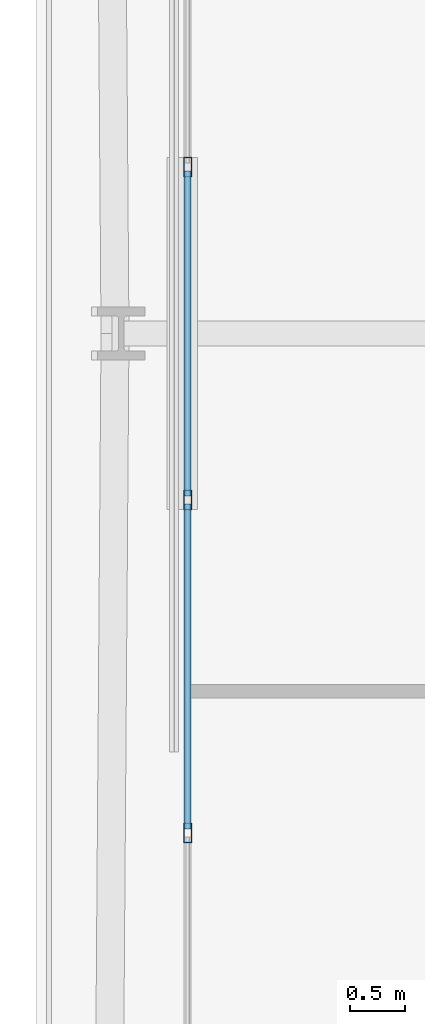
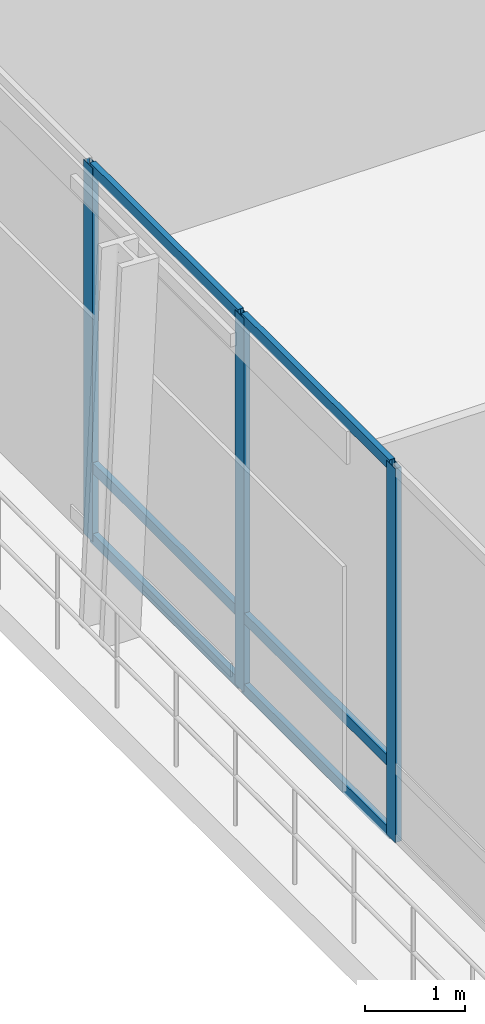
# One storey, part 12 of 48: 9 members, 1 element without a shape of its own.
"""IFC4 building model written with IfcOpenShell, lengths in metres."""

from ifc_helpers import new_model, si_unit, direction, frame, origin, origin_2d, place, context, subcontext, project, spatial, hollow_rectangle, extrude, material, layer, layer_set, material_profile, profile_set, type_object, element, aggregate, save


model = new_model("IFC4")

# Units and contexts
model_context = context("Model", 3, precision=1e-05, world=origin(), true_north=direction((0.0, 1.0)))
body_context = subcontext(model_context, "Body", "Model", "MODEL_VIEW")
ifc_project = project(units=[si_unit("LENGTHUNIT", "METRE"), si_unit("AREAUNIT", "SQUARE_METRE"), si_unit("VOLUMEUNIT", "CUBIC_METRE"), si_unit("PLANEANGLEUNIT", "RADIAN"), si_unit("MASSUNIT", "GRAM", prefix="KILO")], contexts=[model_context])

# Site, building, storey
site_placement = place(None, origin())
site = spatial("IfcSite", under=ifc_project, at=site_placement, CompositionType="ELEMENT")
building_placement = place(site_placement, origin())
building = spatial("IfcBuilding", under=site, at=building_placement, Name="Caelvoria Tower", CompositionType="ELEMENT")
storey_placement = place(building_placement, frame((0.0, 0.0, 90.39990234375)))
storey = spatial("IfcBuildingStorey", under=building, at=storey_placement, Name="L23", CompositionType="ELEMENT", Elevation=90.39990234375)

# Curtain wall, members
ifc_material_1 = material(Name="Anodised Bronze Aluminium and Low-E Glass", Category="aluminium")
ifc_layer = layer(ifc_material_1, 0.2099609375, Name="Anodised Bronze Aluminium and Low-E Glass")
ifc_layer_set = layer_set([ifc_layer], Name="CW System 3 Sky Lobby Double-Height Acoustic Facade - Anodised Bronze Aluminium and Low-E Glass")
curtain_wall_type = type_object("IfcCurtainWallType", Name="CW System 3 Sky Lobby Double-Height Acoustic Facade", PredefinedType="NOTDEFINED", material=ifc_layer_set)
curtain_wall_placement = place(storey_placement, origin())
curtain_wall = element("IfcCurtainWall", 1, at=curtain_wall_placement, inside=storey, type_object=curtain_wall_type, Name="CW-03 Curtain Wall L23-E6", PredefinedType="NOTDEFINED")
ifc_material_2 = material(Name="Anodised Bronze Architectural Aluminium", Category="aluminium")
ifc_material_profile_1 = material_profile(ifc_material_2, hollow_rectangle(XDim=0.070068359375, YDim=0.179931640625, WallThickness=0.00390625, at=origin_2d()), Name="Anodised Bronze Architectural Aluminium")
ifc_profile_set_1 = profile_set([ifc_material_profile_1], Name="CW_MULL_70X180 - Anodised Bronze Architectural Aluminium")
member_type_1 = type_object("IfcMemberType", Name="Curtain Wall Mullion 70x180 Bronze Aluminium", PredefinedType="MULLION", material=ifc_profile_set_1)
member_1_placement = place(storey_placement, frame((22.26318359375, 33.51220703125, 0.0), z_axis=(0.0, 0.0, 1.0), x_axis=(1.0, 0.0, 0.0)))
member_1 = element("IfcMember", 2, at=member_1_placement, type_object=member_type_1, Name="CW-03 mullion 6", PredefinedType="MULLION", context=body_context, shape_type="SweptSolid", body=[
    extrude(hollow_rectangle(XDim=0.070068359375, YDim=0.179931640625, WallThickness=0.00390625, at=origin_2d()), origin(), (0.0, 0.0, 1.0), 4.56005859375),
])
member_2_placement = place(storey_placement, frame((22.26318359375, 30.48779296875, 0.0), z_axis=(0.0, 0.0, 1.0), x_axis=(1.0, 0.0, 0.0)))
member_2 = element("IfcMember", 3, at=member_2_placement, type_object=member_type_1, Name="CW-03 mullion 7", PredefinedType="MULLION", context=body_context, shape_type="SweptSolid", body=[
    extrude(hollow_rectangle(XDim=0.070068359375, YDim=0.179931640625, WallThickness=0.00390625, at=origin_2d()), origin(), (0.0, 0.0, 1.0), 4.56005859375),
])
member_3_placement = place(storey_placement, frame((22.26318359375, 27.463623046875, 0.0), z_axis=(0.0, 0.0, 1.0), x_axis=(1.0, 0.0, 0.0)))
member_3 = element("IfcMember", 4, at=member_3_placement, type_object=member_type_1, Name="CW-03 mullion 8", PredefinedType="MULLION", context=body_context, shape_type="SweptSolid", body=[
    extrude(hollow_rectangle(XDim=0.070068359375, YDim=0.179931640625, WallThickness=0.00390625, at=origin_2d()), origin(), (0.0, 0.0, 1.0), 4.56005859375),
])
ifc_material_profile_2 = material_profile(ifc_material_2, hollow_rectangle(XDim=0.06494140625, YDim=0.1298828125, WallThickness=0.00341796875, at=origin_2d()), Name="Anodised Bronze Architectural Aluminium")
ifc_profile_set_2 = profile_set([ifc_material_profile_2], Name="CW_TRAN_65X130 - Anodised Bronze Architectural Aluminium")
member_type_2 = type_object("IfcMemberType", Name="Curtain Wall Transom 65x130 Bronze Aluminium", PredefinedType="USERDEFINED", material=ifc_profile_set_2)
member_4_placement = place(storey_placement, frame((22.26318359375, 33.47705078125, 0.03271484375), z_axis=(0.0, -1.0, 0.0), x_axis=(1.0, 0.0, 0.0)))
member_4 = element("IfcMember", 5, at=member_4_placement, type_object=member_type_2, Name="CW-03 transom 6.1", ObjectType="TRANSOM", PredefinedType="USERDEFINED", context=body_context, shape_type="SweptSolid", body=[
    extrude(hollow_rectangle(XDim=0.06494140625, YDim=0.1298828125, WallThickness=0.00341796875, at=origin_2d()), origin(), (0.0, 0.0, 1.0), 2.9541015625),
])
member_5_placement = place(storey_placement, frame((22.26318359375, 33.47705078125, 0.900146484375), z_axis=(0.0, -1.0, 0.0), x_axis=(1.0, 0.0, 0.0)))
member_5 = element("IfcMember", 6, at=member_5_placement, type_object=member_type_2, Name="CW-03 transom 6.2", ObjectType="TRANSOM", PredefinedType="USERDEFINED", context=body_context, shape_type="SweptSolid", body=[
    extrude(hollow_rectangle(XDim=0.06494140625, YDim=0.1298828125, WallThickness=0.00341796875, at=origin_2d()), origin(), (0.0, 0.0, 1.0), 2.9541015625),
])
member_6_placement = place(storey_placement, frame((22.26318359375, 33.47705078125, 4.527587890625), z_axis=(0.0, -1.0, 0.0), x_axis=(1.0, 0.0, 0.0)))
member_6 = element("IfcMember", 7, at=member_6_placement, type_object=member_type_2, Name="CW-03 transom 6.3", ObjectType="TRANSOM", PredefinedType="USERDEFINED", context=body_context, shape_type="SweptSolid", body=[
    extrude(hollow_rectangle(XDim=0.06494140625, YDim=0.1298828125, WallThickness=0.00341796875, at=origin_2d()), origin(), (0.0, 0.0, 1.0), 2.9541015625),
])
member_7_placement = place(storey_placement, frame((22.26318359375, 30.452880859375, 0.03271484375), z_axis=(0.0, -1.0, 0.0), x_axis=(1.0, 0.0, 0.0)))
member_7 = element("IfcMember", 8, at=member_7_placement, type_object=member_type_2, Name="CW-03 transom 7.1", ObjectType="TRANSOM", PredefinedType="USERDEFINED", context=body_context, shape_type="SweptSolid", body=[
    extrude(hollow_rectangle(XDim=0.06494140625, YDim=0.1298828125, WallThickness=0.00341796875, at=origin_2d()), origin(), (0.0, 0.0, 1.0), 2.954345703125),
])
member_8_placement = place(storey_placement, frame((22.26318359375, 30.452880859375, 0.900146484375), z_axis=(0.0, -1.0, 0.0), x_axis=(1.0, 0.0, 0.0)))
member_8 = element("IfcMember", 9, at=member_8_placement, type_object=member_type_2, Name="CW-03 transom 7.2", ObjectType="TRANSOM", PredefinedType="USERDEFINED", context=body_context, shape_type="SweptSolid", body=[
    extrude(hollow_rectangle(XDim=0.06494140625, YDim=0.1298828125, WallThickness=0.00341796875, at=origin_2d()), origin(), (0.0, 0.0, 1.0), 2.954345703125),
])
member_9_placement = place(storey_placement, frame((22.26318359375, 30.452880859375, 4.527587890625), z_axis=(0.0, -1.0, 0.0), x_axis=(1.0, 0.0, 0.0)))
member_9 = element("IfcMember", 10, at=member_9_placement, type_object=member_type_2, Name="CW-03 transom 7.3", ObjectType="TRANSOM", PredefinedType="USERDEFINED", context=body_context, shape_type="SweptSolid", body=[
    extrude(hollow_rectangle(XDim=0.06494140625, YDim=0.1298828125, WallThickness=0.00341796875, at=origin_2d()), origin(), (0.0, 0.0, 1.0), 2.954345703125),
])
aggregate(curtain_wall, [member_1, member_2, member_3, member_4, member_5, member_6, member_7, member_8, member_9])

save(model, "model.ifc")
